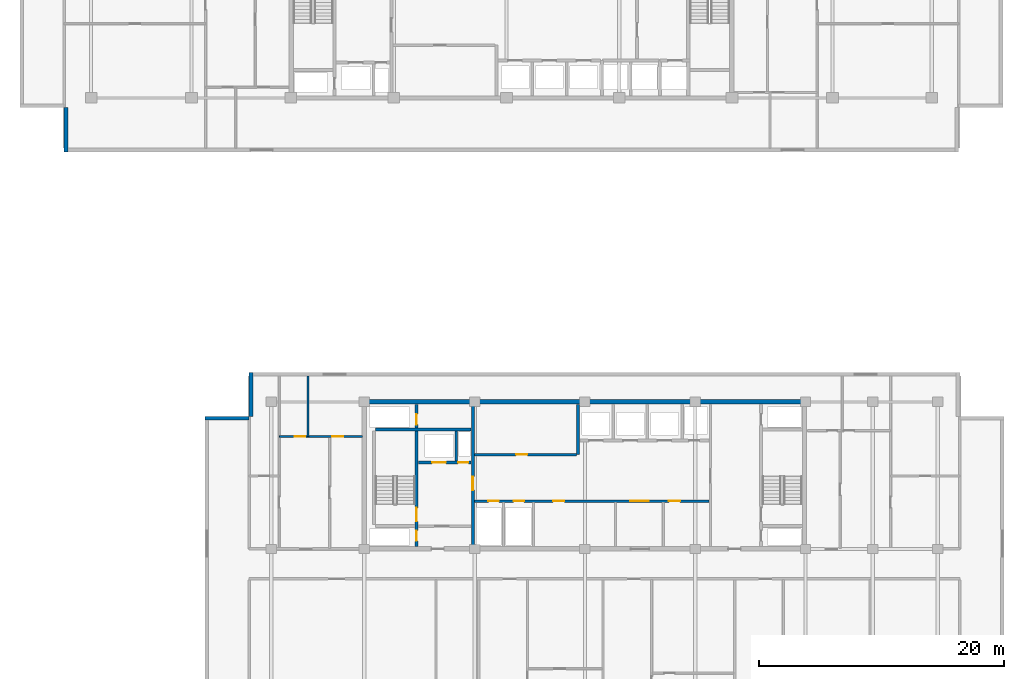
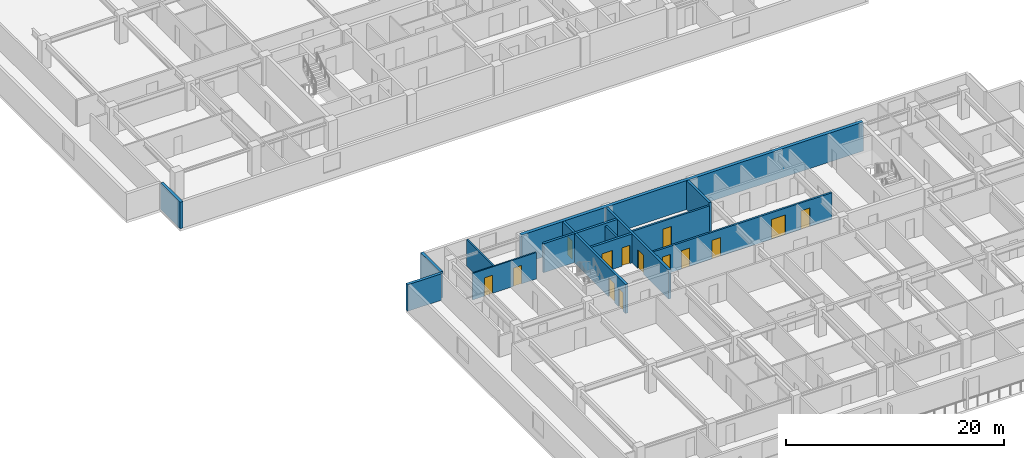
# One storey, part 6 of 21: 14 doors, 14 walls, 14 openings.
"""IFC4 building model written with IfcOpenShell, lengths in metres."""

from ifc_helpers import new_model, si_unit, direction, frame, frame_2d, origin, place, context, subcontext, project, spatial, rectangle, extrude, material, layer, layer_set, type_object, element, fill, save


model = new_model("IFC4")

# Units and contexts
model_context = context("Model", 3, precision=1e-05, world=origin(), true_north=direction((0.0, 1.0)))
body_context = subcontext(model_context, "Body", "Model", "MODEL_VIEW")
ifc_project = project(units=[si_unit("LENGTHUNIT", "METRE"), si_unit("AREAUNIT", "SQUARE_METRE"), si_unit("VOLUMEUNIT", "CUBIC_METRE"), si_unit("PLANEANGLEUNIT", "RADIAN"), si_unit("MASSUNIT", "GRAM", prefix="KILO")], contexts=[model_context])

# Site, building, storey
site_placement = place(None, origin())
site = spatial("IfcSite", under=ifc_project, at=site_placement, CompositionType="ELEMENT")
building_placement = place(site_placement, origin())
building = spatial("IfcBuilding", under=site, at=building_placement, Name="Korimba Cascade Residences", CompositionType="ELEMENT")
storey_placement = place(building_placement, frame((0.0, 0.0, 103.550048828125)))
storey = spatial("IfcBuildingStorey", under=building, at=storey_placement, Name="L29", CompositionType="ELEMENT", Elevation=103.550048828125)

# Walls
ifc_material_1 = material(Name="Precast concrete C40/50", Category="concrete")
ifc_layer_1 = layer(ifc_material_1, 0.300048828125)
ifc_layer_set_1 = layer_set([ifc_layer_1], Name="Precast concrete C40/50")
wall_type_1 = type_object("IfcWallType", Name="EW-STONE-300", PredefinedType="STANDARD", material=ifc_layer_set_1)
wall_1_placement = place(storey_placement, frame((57.75, 54.39990234375, 0.0), z_axis=(0.0, 0.0, 1.0), x_axis=(0.0, -1.0, 0.0)))
element("IfcWall", 1, at=wall_1_placement, inside=storey, type_object=wall_type_1, Name="L29 T1 Perimeter Stone Wall E11", PredefinedType="STANDARD", context=body_context, shape_type="SweptSolid", body=[
    extrude(rectangle(XDim=3.599853515625, YDim=0.300048828125, at=frame_2d((1.7998046875, 0.0))), origin(), (0.0, 0.0, 1.0), 2.969970703125),
])
wall_2_placement = place(storey_placement, frame((72.85009765625, 32.800048828125, 0.0), z_axis=(0.0, 0.0, 1.0), x_axis=(0.0, -1.0, 0.0)))
element("IfcWall", 2, at=wall_2_placement, inside=storey, type_object=wall_type_1, Name="L29 T2 Perimeter Stone Wall E07", PredefinedType="STANDARD", context=body_context, shape_type="SweptSolid", body=[
    extrude(rectangle(XDim=3.60009765625, YDim=0.300048828125, at=frame_2d((1.800048828125, 0.0))), origin(), (0.0, 0.0, 1.0), 2.969970703125),
])
wall_3_placement = place(storey_placement, frame((72.699951171875, 29.050048828125, 0.0), z_axis=(0.0, 0.0, 1.0), x_axis=(-1.0, 0.0, 0.0)))
element("IfcWall", 3, at=wall_3_placement, inside=storey, type_object=wall_type_1, Name="L29 T2 Perimeter Stone Wall E08", PredefinedType="STANDARD", context=body_context, shape_type="SweptSolid", body=[
    extrude(rectangle(XDim=3.599853515625, YDim=0.300048828125, at=frame_2d((1.7998046875, 0.0))), origin(), (0.0, 0.0, 1.0), 2.969970703125),
])
ifc_material_2 = material(Name="Concrete C65/80", Category="concrete")
ifc_layer_2 = layer(ifc_material_2, 0.35009765625)
ifc_layer_set_2 = layer_set([ifc_layer_2], Name="Concrete C65/80")
wall_type_2 = type_object("IfcWallType", Name="WAL-CORE-350", PredefinedType="SHEAR", material=ifc_layer_set_2)
wall_4_placement = place(storey_placement, frame((81.925048828125, 30.39990234375, 0.0), z_axis=(0.0, 0.0, 1.0), x_axis=(1.0, 0.0, 0.0)))
element("IfcWall", 4, at=wall_4_placement, inside=storey, type_object=wall_type_2, Name="L29 Core Shear Wall CW-L29-T2-N", PredefinedType="SHEAR", context=body_context, shape_type="SweptSolid", body=[
    extrude(rectangle(XDim=36.264892578125, YDim=0.35009765625, at=frame_2d((18.13232421875, 0.0))), origin(), (0.0, 0.0, 1.0), 3.25),
])
ifc_material_3 = material(Name="Insulated Acoustic Stud Partition", Category="gypsum")
ifc_layer_3 = layer(ifc_material_3, 0.14990234375)
ifc_layer_set_3 = layer_set([ifc_layer_3], Name="Insulated Acoustic Stud Partition")
wall_type_3 = type_object("IfcWallType", Name="WAL-PART-150", PredefinedType="PARTITIONING", material=ifc_layer_set_3)
wall_5_placement = place(storey_placement, frame((77.5, 27.570068359375, 0.0), z_axis=(0.0, 0.0, 1.0), x_axis=(0.0, 1.0, 0.0)))
element("IfcWall", 5, at=wall_5_placement, inside=storey, type_object=wall_type_3, Name="L29 Partition Wall WAL-L29-T2-FW-VN", PredefinedType="PARTITIONING", context=body_context, shape_type="SweptSolid", body=[
    extrude(rectangle(XDim=4.929931640625, YDim=0.14990234375, at=frame_2d((2.46484375, 0.0))), origin(), (0.0, 0.0, 1.0), 2.969970703125),
])

# Wall, openings, doors
wall_6_placement = place(storey_placement, frame((75.169921875, 27.570068359375, 0.0), z_axis=(0.0, 0.0, 1.0), x_axis=(1.0, 0.0, 0.0)))
wall_6 = element("IfcWall", 6, at=wall_6_placement, inside=storey, type_object=wall_type_3, Name="L29 Partition Wall WAL-L29-T2-FW-H", PredefinedType="PARTITIONING", context=body_context, shape_type="SweptSolid", body=[
    extrude(rectangle(XDim=6.760009765625, YDim=0.14990234375, at=frame_2d((3.3798828125, 0.0))), origin(), (0.0, 0.0, 1.0), 2.969970703125),
])
opening_1_placement = place(wall_6_placement, frame((1.266357421875, 0.0, 0.0)))
opening_1 = element("IfcOpeningElement", 7, at=opening_1_placement, cuts=wall_6, Name="Opening D-BT1", PredefinedType="OPENING", context=body_context, shape_type="SweptSolid", body=[
    extrude(rectangle(XDim=0.840087890625, YDim=2.0400390625, at=frame_2d((0.419921875, 1.02001953125))), frame((0.0, 0.0849609375, 0.0), z_axis=(0.0, -1.0, 0.0), x_axis=(1.0, 0.0, 0.0)), (0.0, 0.0, 1.0), 0.169921875),
])
opening_2_placement = place(wall_6_placement, frame((4.320068359375, 0.0, 0.0)))
opening_2 = element("IfcOpeningElement", 8, at=opening_2_placement, cuts=wall_6, Name="Opening D-IN2", PredefinedType="OPENING", context=body_context, shape_type="SweptSolid", body=[
    extrude(rectangle(XDim=0.8798828125, YDim=2.06005859375, at=frame_2d((0.43994140625, 1.030029296875))), frame((0.0, 0.0849609375, 0.0), z_axis=(0.0, -1.0, 0.0), x_axis=(1.0, 0.0, 0.0)), (0.0, 0.0, 1.0), 0.169921875),
])
ifc_material_4 = material(Name="Moisture-Resistant Bathroom Timber Door", Category="wood")
door_type_1 = type_object("IfcDoorType", Name="DR-INT-850", OperationType="NOTDEFINED", PredefinedType="DOOR", material=ifc_material_4)
door_1_placement = place(opening_1_placement, origin())
door_1 = element("IfcDoor", 9, at=door_1_placement, inside=storey, type_object=door_type_1, Name="L29-T2-FW Bathroom Door", OperationType="SINGLE_SWING_LEFT", OverallHeight=2.0400390625, OverallWidth=0.840087890625, PredefinedType="DOOR", context=body_context, shape_type="SweptSolid", body=[
    extrude(rectangle(XDim=0.840087890625, YDim=2.0400390625, at=frame_2d((0.419921875, 1.02001953125))), frame((0.0, 0.02490234375, 0.0), z_axis=(0.0, -1.0, 0.0), x_axis=(1.0, 0.0, 0.0)), (0.0, 0.0, 1.0), 0.050048828125),
])
fill(opening_1, door_1)
ifc_material_5 = material(Name="Acoustic Timber Bedroom Door", Category="wood")
door_type_2 = type_object("IfcDoorType", Name="DR-INT-880", OperationType="NOTDEFINED", PredefinedType="DOOR", material=ifc_material_5)
door_2_placement = place(opening_2_placement, origin())
door_2 = element("IfcDoor", 10, at=door_2_placement, inside=storey, type_object=door_type_2, Name="L29-T2-FW Bedroom Door", OperationType="SINGLE_SWING_RIGHT", OverallHeight=2.06005859375, OverallWidth=0.8798828125, PredefinedType="DOOR", context=body_context, shape_type="SweptSolid", body=[
    extrude(rectangle(XDim=0.8798828125, YDim=2.06005859375, at=frame_2d((0.43994140625, 1.030029296875))), frame((0.0, 0.02490234375, 0.0), z_axis=(0.0, -1.0, 0.0), x_axis=(1.0, 0.0, 0.0)), (0.0, 0.0, 1.0), 0.050048828125),
])
fill(opening_2, door_2)

# Wall
ifc_material_6 = material(Name="Concrete C40/50", Category="concrete")
ifc_layer_4 = layer(ifc_material_6, 0.199951171875)
ifc_layer_set_4 = layer_set([ifc_layer_4], Name="Concrete C40/50")
wall_type_4 = type_object("IfcWallType", Name="WAL-PART-200", PredefinedType="PARTITIONING", material=ifc_layer_set_4)
wall_7_placement = place(storey_placement, frame((89.60009765625, 25.580078125, 0.0), z_axis=(0.0, 0.0, 1.0), x_axis=(0.0, 1.0, 0.0)))
element("IfcWall", 11, at=wall_7_placement, inside=storey, type_object=wall_type_4, Name="L29 Partition Wall CW-L29-T2-FFLDIV", PredefinedType="PARTITIONING", context=body_context, shape_type="SweptSolid", body=[
    extrude(rectangle(XDim=2.419921875, YDim=0.199951171875, at=frame_2d((1.2099609375, 0.0))), origin(), (0.0, 0.0, 1.0), 2.969970703125),
])

# Wall, opening, door
wall_8_placement = place(storey_placement, frame((91.080078125, 26.10009765625, 0.0), z_axis=(0.0, 0.0, 1.0), x_axis=(1.0, 0.0, 0.0)))
wall_8 = element("IfcWall", 12, at=wall_8_placement, inside=storey, type_object=wall_type_4, Name="L29 Partition Wall CW-L29-T2-B1RS", PredefinedType="PARTITIONING", context=body_context, shape_type="SweptSolid", body=[
    extrude(rectangle(XDim=8.33984375, YDim=0.199951171875, at=frame_2d((4.169921875, 0.0))), origin(), (0.0, 0.0, 1.0), 2.969970703125),
])
opening_3_placement = place(wall_8_placement, frame((3.39990234375, 0.0, 0.0)))
opening_3 = element("IfcOpeningElement", 13, at=opening_3_placement, cuts=wall_8, Name="Opening D-ST1", PredefinedType="OPENING", context=body_context, shape_type="SweptSolid", body=[
    extrude(rectangle(XDim=0.919921875, YDim=2.080078125, at=frame_2d((0.4599609375, 1.0400390625))), frame((0.0, 0.10986328125, 0.0), z_axis=(0.0, -1.0, 0.0), x_axis=(1.0, 0.0, 0.0)), (0.0, 0.0, 1.0), 0.219970703125),
])
ifc_material_7 = material(Name="Fire-Rated Core Store Door", Category="wood")
door_type_3 = type_object("IfcDoorType", Name="DR-FD60-920", OperationType="NOTDEFINED", PredefinedType="DOOR", material=ifc_material_7)
door_3_placement = place(opening_3_placement, origin())
door_3 = element("IfcDoor", 14, at=door_3_placement, inside=storey, type_object=door_type_3, Name="L29 T2 Resident Storage Door", OperationType="SINGLE_SWING_RIGHT", OverallHeight=2.080078125, OverallWidth=0.919921875, PredefinedType="DOOR", context=body_context, shape_type="SweptSolid", body=[
    extrude(rectangle(XDim=0.919921875, YDim=2.080078125, at=frame_2d((0.4599609375, 1.0400390625))), frame((0.0, 0.02490234375, 0.0), z_axis=(0.0, -1.0, 0.0), x_axis=(1.0, 0.0, 0.0)), (0.0, 0.0, 1.0), 0.050048828125),
])
fill(opening_3, door_3)

# Wall, openings, doors
wall_9_placement = place(storey_placement, frame((91.080078125, 22.300048828125, 0.0), z_axis=(0.0, 0.0, 1.0), x_axis=(1.0, 0.0, 0.0)))
wall_9 = element("IfcWall", 15, at=wall_9_placement, inside=storey, type_object=wall_type_4, Name="L29 Partition Wall CW-L29-T2-SRVROW", PredefinedType="PARTITIONING", context=body_context, shape_type="SweptSolid", body=[
    extrude(rectangle(XDim=19.139892578125, YDim=0.199951171875, at=frame_2d((9.56982421875, 0.0))), origin(), (0.0, 0.0, 1.0), 2.969970703125),
])
opening_4_placement = place(wall_9_placement, frame((1.14990234375, 0.0, 0.0)))
opening_4 = element("IfcOpeningElement", 16, at=opening_4_placement, cuts=wall_9, Name="Opening D-RS1", PredefinedType="OPENING", context=body_context, shape_type="SweptSolid", body=[
    extrude(rectangle(XDim=0.85009765625, YDim=2.050048828125, at=frame_2d((0.425048828125, 1.02490234375))), frame((0.0, 0.10986328125, 0.0), z_axis=(0.0, -1.0, 0.0), x_axis=(1.0, 0.0, 0.0)), (0.0, 0.0, 1.0), 0.219970703125),
])
opening_5_placement = place(wall_9_placement, frame((3.199951171875, 0.0, 0.0)))
opening_5 = element("IfcOpeningElement", 17, at=opening_5_placement, cuts=wall_9, Name="Opening D-RS1", PredefinedType="OPENING", context=body_context, shape_type="SweptSolid", body=[
    extrude(rectangle(XDim=0.85009765625, YDim=2.050048828125, at=frame_2d((0.425048828125, 1.02490234375))), frame((0.0, 0.10986328125, 0.0), z_axis=(0.0, -1.0, 0.0), x_axis=(1.0, 0.0, 0.0)), (0.0, 0.0, 1.0), 0.219970703125),
])
opening_6_placement = place(wall_9_placement, frame((12.719970703125, 0.0, 0.0)))
opening_6 = element("IfcOpeningElement", 18, at=opening_6_placement, cuts=wall_9, Name="Opening D-FD8", PredefinedType="OPENING", context=body_context, shape_type="SweptSolid", body=[
    extrude(rectangle(XDim=1.5, YDim=2.199951171875, at=frame_2d((0.75, 1.10009765625))), frame((0.0, 0.10986328125, 0.0), z_axis=(0.0, -1.0, 0.0), x_axis=(1.0, 0.0, 0.0)), (0.0, 0.0, 1.0), 0.219970703125),
])
opening_7_placement = place(wall_9_placement, frame((6.419921875, 0.0, 0.0)))
opening_7 = element("IfcOpeningElement", 19, at=opening_7_placement, cuts=wall_9, Name="Opening D-IN1", PredefinedType="OPENING", context=body_context, shape_type="SweptSolid", body=[
    extrude(rectangle(XDim=0.919921875, YDim=2.080078125, at=frame_2d((0.4599609375, 1.0400390625))), frame((0.0, 0.10986328125, 0.0), z_axis=(0.0, -1.0, 0.0), x_axis=(1.0, 0.0, 0.0)), (0.0, 0.0, 1.0), 0.219970703125),
])
opening_8_placement = place(wall_9_placement, frame((15.8701171875, 0.0, 0.0)))
opening_8 = element("IfcOpeningElement", 20, at=opening_8_placement, cuts=wall_9, Name="Opening D-IN1", PredefinedType="OPENING", context=body_context, shape_type="SweptSolid", body=[
    extrude(rectangle(XDim=0.919921875, YDim=2.080078125, at=frame_2d((0.4599609375, 1.0400390625))), frame((0.0, 0.10986328125, 0.0), z_axis=(0.0, -1.0, 0.0), x_axis=(1.0, 0.0, 0.0)), (0.0, 0.0, 1.0), 0.219970703125),
])
ifc_material_8 = material(Name="Fire-Rated Steel Riser Access Door", Category="steel")
door_type_4 = type_object("IfcDoorType", Name="DR-FD60-850", OperationType="NOTDEFINED", PredefinedType="DOOR", material=ifc_material_8)
door_4_placement = place(opening_4_placement, origin())
door_4 = element("IfcDoor", 21, at=door_4_placement, inside=storey, type_object=door_type_4, Name="L29 T2 Electrical Riser Door", OperationType="SINGLE_SWING_RIGHT", OverallHeight=2.050048828125, OverallWidth=0.85009765625, PredefinedType="DOOR", context=body_context, shape_type="SweptSolid", body=[
    extrude(rectangle(XDim=0.85009765625, YDim=2.050048828125, at=frame_2d((0.425048828125, 1.02490234375))), frame((0.0, 0.02490234375, 0.0), z_axis=(0.0, -1.0, 0.0), x_axis=(1.0, 0.0, 0.0)), (0.0, 0.0, 1.0), 0.050048828125),
])
fill(opening_4, door_4)
door_5_placement = place(opening_5_placement, origin())
door_5 = element("IfcDoor", 22, at=door_5_placement, inside=storey, type_object=door_type_4, Name="L29 T2 Plumbing Riser Door", OperationType="SINGLE_SWING_LEFT", OverallHeight=2.050048828125, OverallWidth=0.85009765625, PredefinedType="DOOR", context=body_context, shape_type="SweptSolid", body=[
    extrude(rectangle(XDim=0.85009765625, YDim=2.050048828125, at=frame_2d((0.425048828125, 1.02490234375))), frame((0.0, 0.02490234375, 0.0), z_axis=(0.0, -1.0, 0.0), x_axis=(1.0, 0.0, 0.0)), (0.0, 0.0, 1.0), 0.050048828125),
])
fill(opening_5, door_5)
ifc_material_9 = material(Name="Fire-Rated Glazed Lift Lobby Double Door", Category="glass")
door_type_5 = type_object("IfcDoorType", Name="DR-FD90-1500", OperationType="NOTDEFINED", PredefinedType="DOOR", material=ifc_material_9)
door_6_placement = place(opening_6_placement, origin())
door_6 = element("IfcDoor", 23, at=door_6_placement, inside=storey, type_object=door_type_5, Name="L29 T2 Lift Lobby Foyer Door", OperationType="DOUBLE_DOOR_SINGLE_SWING", OverallHeight=2.199951171875, OverallWidth=1.5, PredefinedType="DOOR", context=body_context, shape_type="SweptSolid", body=[
    extrude(rectangle(XDim=1.5, YDim=2.199951171875, at=frame_2d((0.75, 1.10009765625))), frame((0.0, 0.02490234375, 0.0), z_axis=(0.0, -1.0, 0.0), x_axis=(1.0, 0.0, 0.0)), (0.0, 0.0, 1.0), 0.050048828125),
])
fill(opening_6, door_6)
ifc_material_10 = material(Name="Acoustic Timber Living Door", Category="wood")
door_type_6 = type_object("IfcDoorType", Name="DR-INT-920", OperationType="NOTDEFINED", PredefinedType="DOOR", material=ifc_material_10)
door_7_placement = place(opening_7_placement, origin())
door_7 = element("IfcDoor", 24, at=door_7_placement, inside=storey, type_object=door_type_6, Name="L29 T2 Housekeeping Door", OperationType="SINGLE_SWING_RIGHT", OverallHeight=2.080078125, OverallWidth=0.919921875, PredefinedType="DOOR", context=body_context, shape_type="SweptSolid", body=[
    extrude(rectangle(XDim=0.919921875, YDim=2.080078125, at=frame_2d((0.4599609375, 1.0400390625))), frame((0.0, 0.02490234375, 0.0), z_axis=(0.0, -1.0, 0.0), x_axis=(1.0, 0.0, 0.0)), (0.0, 0.0, 1.0), 0.050048828125),
])
fill(opening_7, door_7)
door_8_placement = place(opening_8_placement, origin())
door_8 = element("IfcDoor", 25, at=door_8_placement, inside=storey, type_object=door_type_6, Name="L29 T2 Store Door", OperationType="SINGLE_SWING_LEFT", OverallHeight=2.080078125, OverallWidth=0.919921875, PredefinedType="DOOR", context=body_context, shape_type="SweptSolid", body=[
    extrude(rectangle(XDim=0.919921875, YDim=2.080078125, at=frame_2d((0.4599609375, 1.0400390625))), frame((0.0, 0.02490234375, 0.0), z_axis=(0.0, -1.0, 0.0), x_axis=(1.0, 0.0, 0.0)), (0.0, 0.0, 1.0), 0.050048828125),
])
fill(opening_8, door_8)

ifc_material_11 = material(Name="Concrete C50/60", Category="concrete")
ifc_layer_5 = layer(ifc_material_11, 0.25)
ifc_layer_set_5 = layer_set([ifc_layer_5], Name="Concrete C50/60")
wall_type_5 = type_object("IfcWallType", Name="WAL-SHAFT-250", PredefinedType="SHEAR", material=ifc_layer_set_5)
wall_10_placement = place(storey_placement, frame((86.364990234375, 18.60009765625, 0.0), z_axis=(0.0, 0.0, 1.0), x_axis=(0.0, 1.0, 0.0)))
wall_10 = element("IfcWall", 26, at=wall_10_placement, inside=storey, type_object=wall_type_5, Name="L29 Core Shear Wall CW-L29-T2-STE1E", PredefinedType="SHEAR", context=body_context, shape_type="SweptSolid", body=[
    extrude(rectangle(XDim=11.599853515625, YDim=0.25, at=frame_2d((5.7998046875, 0.0))), origin(), (0.0, 0.0, 1.0), 3.25),
])
opening_9_placement = place(wall_10_placement, frame((0.449951171875, 0.0, 0.0)))
opening_9 = element("IfcOpeningElement", 27, at=opening_9_placement, cuts=wall_10, Name="Opening D-RS1", PredefinedType="OPENING", context=body_context, shape_type="SweptSolid", body=[
    extrude(rectangle(XDim=0.85009765625, YDim=2.050048828125, at=frame_2d((0.425048828125, 1.02490234375))), frame((0.0, 0.135009765625, 0.0), z_axis=(0.0, -1.0, 0.0), x_axis=(1.0, 0.0, 0.0)), (0.0, 0.0, 1.0), 0.27001953125),
])
opening_10_placement = place(wall_10_placement, frame((2.050048828125, 0.0, 0.0)))
opening_10 = element("IfcOpeningElement", 28, at=opening_10_placement, cuts=wall_10, Name="Opening D-FD1", PredefinedType="OPENING", context=body_context, shape_type="SweptSolid", body=[
    extrude(rectangle(XDim=1.10009765625, YDim=2.10009765625, at=frame_2d((0.550048828125, 1.050048828125))), frame((0.0, 0.135009765625, 0.0), z_axis=(0.0, -1.0, 0.0), x_axis=(1.0, 0.0, 0.0)), (0.0, 0.0, 1.0), 0.27001953125),
])
opening_11_placement = place(wall_10_placement, frame((9.949951171875, 0.0, 0.0)))
opening_11 = element("IfcOpeningElement", 29, at=opening_11_placement, cuts=wall_10, Name="Opening D-RS1", PredefinedType="OPENING", context=body_context, shape_type="SweptSolid", body=[
    extrude(rectangle(XDim=0.85009765625, YDim=2.050048828125, at=frame_2d((0.425048828125, 1.02490234375))), frame((0.0, 0.135009765625, 0.0), z_axis=(0.0, -1.0, 0.0), x_axis=(1.0, 0.0, 0.0)), (0.0, 0.0, 1.0), 0.27001953125),
])
ifc_material_12 = material(Name="Fire-Rated Steel Core Door", Category="steel")
door_type_7 = type_object("IfcDoorType", Name="DR-FD120-1100", OperationType="NOTDEFINED", PredefinedType="DOOR", material=ifc_material_12)
door_9_placement = place(opening_10_placement, origin())
door_9 = element("IfcDoor", 30, at=door_9_placement, inside=storey, type_object=door_type_7, Name="L29 Fire Stair ST-E1 Door", OperationType="SINGLE_SWING_LEFT", OverallHeight=2.10009765625, OverallWidth=1.10009765625, PredefinedType="DOOR", context=body_context, shape_type="SweptSolid", body=[
    extrude(rectangle(XDim=1.10009765625, YDim=2.10009765625, at=frame_2d((0.550048828125, 1.050048828125))), frame((0.0, 0.02490234375, 0.0), z_axis=(0.0, -1.0, 0.0), x_axis=(1.0, 0.0, 0.0)), (0.0, 0.0, 1.0), 0.050048828125),
])
fill(opening_10, door_9)
door_10_placement = place(opening_9_placement, origin())
door_10 = element("IfcDoor", 31, at=door_10_placement, inside=storey, type_object=door_type_4, Name="L29 T2 Hydrant Riser Door", OperationType="SINGLE_SWING_RIGHT", OverallHeight=2.050048828125, OverallWidth=0.85009765625, PredefinedType="DOOR", context=body_context, shape_type="SweptSolid", body=[
    extrude(rectangle(XDim=0.85009765625, YDim=2.050048828125, at=frame_2d((0.425048828125, 1.02490234375))), frame((0.0, 0.02490234375, 0.0), z_axis=(0.0, -1.0, 0.0), x_axis=(1.0, 0.0, 0.0)), (0.0, 0.0, 1.0), 0.050048828125),
])
fill(opening_9, door_10)
door_11_placement = place(opening_11_placement, origin())
door_11 = element("IfcDoor", 32, at=door_11_placement, inside=storey, type_object=door_type_4, Name="L29 T2 Smoke Shaft Door", OperationType="SINGLE_SWING_RIGHT", OverallHeight=2.050048828125, OverallWidth=0.85009765625, PredefinedType="DOOR", context=body_context, shape_type="SweptSolid", body=[
    extrude(rectangle(XDim=0.85009765625, YDim=2.050048828125, at=frame_2d((0.425048828125, 1.02490234375))), frame((0.0, 0.02490234375, 0.0), z_axis=(0.0, -1.0, 0.0), x_axis=(1.0, 0.0, 0.0)), (0.0, 0.0, 1.0), 0.050048828125),
])
fill(opening_11, door_11)

# Wall
wall_11_placement = place(storey_placement, frame((83.0, 28.125, 0.0), z_axis=(0.0, 0.0, 1.0), x_axis=(1.0, 0.0, 0.0)))
element("IfcWall", 33, at=wall_11_placement, inside=storey, type_object=wall_type_5, Name="L29 Core Shear Wall CW-L29-T2-STE1N", PredefinedType="SHEAR", context=body_context, shape_type="SweptSolid", body=[
    extrude(rectangle(XDim=7.820068359375, YDim=0.25, at=frame_2d((3.91015625, 0.0))), origin(), (0.0, 0.0, 1.0), 3.25),
])

# Wall, openings, doors
wall_12_placement = place(storey_placement, frame((86.5, 25.449951171875, 0.0), z_axis=(0.0, 0.0, 1.0), x_axis=(1.0, 0.0, 0.0)))
wall_12 = element("IfcWall", 34, at=wall_12_placement, inside=storey, type_object=wall_type_5, Name="L29 Core Shear Wall CW-L29-T2-FFLN", PredefinedType="SHEAR", context=body_context, shape_type="SweptSolid", body=[
    extrude(rectangle(XDim=4.320068359375, YDim=0.25, at=frame_2d((2.16015625, 0.0))), origin(), (0.0, 0.0, 1.0), 3.25),
])
opening_12_placement = place(wall_12_placement, frame((1.139892578125, 0.0, 0.0)))
opening_12 = element("IfcOpeningElement", 35, at=opening_12_placement, cuts=wall_12, Name="Opening LD-01", PredefinedType="OPENING", context=body_context, shape_type="SweptSolid", body=[
    extrude(rectangle(XDim=1.1201171875, YDim=2.1201171875, at=frame_2d((0.56005859375, 1.06005859375))), frame((0.0, 0.135009765625, 0.0), z_axis=(0.0, -1.0, 0.0), x_axis=(1.0, 0.0, 0.0)), (0.0, 0.0, 1.0), 0.27001953125),
])
opening_13_placement = place(wall_12_placement, frame((3.25, 0.0, 0.0)))
opening_13 = element("IfcOpeningElement", 36, at=opening_13_placement, cuts=wall_12, Name="Opening D-RS1", PredefinedType="OPENING", context=body_context, shape_type="SweptSolid", body=[
    extrude(rectangle(XDim=0.85009765625, YDim=2.050048828125, at=frame_2d((0.425048828125, 1.02490234375))), frame((0.0, 0.135009765625, 0.0), z_axis=(0.0, -1.0, 0.0), x_axis=(1.0, 0.0, 0.0)), (0.0, 0.0, 1.0), 0.27001953125),
])
door_12_placement = place(opening_13_placement, origin())
door_12 = element("IfcDoor", 37, at=door_12_placement, inside=storey, type_object=door_type_4, Name="L29 T2 Pressurisation Riser Door", OperationType="SINGLE_SWING_LEFT", OverallHeight=2.050048828125, OverallWidth=0.85009765625, PredefinedType="DOOR", context=body_context, shape_type="SweptSolid", body=[
    extrude(rectangle(XDim=0.85009765625, YDim=2.050048828125, at=frame_2d((0.425048828125, 1.02490234375))), frame((0.0, 0.02490234375, 0.0), z_axis=(0.0, -1.0, 0.0), x_axis=(1.0, 0.0, 0.0)), (0.0, 0.0, 1.0), 0.050048828125),
])
fill(opening_13, door_12)
ifc_material_13 = material(Name="Stainless Steel Lift Landing Sliding Door", Category="steel")
door_type_8 = type_object("IfcDoorType", Name="DR-LIFT-1100", OperationType="NOTDEFINED", PredefinedType="DOOR", material=ifc_material_13)
door_13_placement = place(opening_12_placement, origin())
door_13 = element("IfcDoor", 38, at=door_13_placement, inside=storey, type_object=door_type_8, Name="L29 Firefighting Lift Landing Door FFL-E1", OperationType="SLIDING_TO_RIGHT", OverallHeight=2.1201171875, OverallWidth=1.1201171875, PredefinedType="DOOR", context=body_context, shape_type="SweptSolid", body=[
    extrude(rectangle(XDim=1.1201171875, YDim=2.1201171875, at=frame_2d((0.56005859375, 1.06005859375))), frame((0.0, 0.02490234375, 0.0), z_axis=(0.0, -1.0, 0.0), x_axis=(1.0, 0.0, 0.0)), (0.0, 0.0, 1.0), 0.050048828125),
])
fill(opening_12, door_13)

# Wall, opening, door
wall_13_placement = place(storey_placement, frame((90.949951171875, 18.60009765625, 0.0), z_axis=(0.0, 0.0, 1.0), x_axis=(0.0, 1.0, 0.0)))
wall_13 = element("IfcWall", 39, at=wall_13_placement, inside=storey, type_object=wall_type_5, Name="L29 Core Shear Wall CW-L29-T2-FFLE", PredefinedType="SHEAR", context=body_context, shape_type="SweptSolid", body=[
    extrude(rectangle(XDim=11.599853515625, YDim=0.25, at=frame_2d((5.7998046875, 0.0))), origin(), (0.0, 0.0, 1.0), 3.25),
])
opening_14_placement = place(wall_13_placement, frame((4.60009765625, 0.0, 0.0)))
opening_14 = element("IfcOpeningElement", 40, at=opening_14_placement, cuts=wall_13, Name="Opening D-FD1", PredefinedType="OPENING", context=body_context, shape_type="SweptSolid", body=[
    extrude(rectangle(XDim=1.10009765625, YDim=2.10009765625, at=frame_2d((0.550048828125, 1.050048828125))), frame((0.0, 0.135009765625, 0.0), z_axis=(0.0, -1.0, 0.0), x_axis=(1.0, 0.0, 0.0)), (0.0, 0.0, 1.0), 0.27001953125),
])
door_14_placement = place(opening_14_placement, origin())
door_14 = element("IfcDoor", 41, at=door_14_placement, inside=storey, type_object=door_type_7, Name="L29 T2 Firefighting Lobby to Lift Lobby Door", OperationType="SINGLE_SWING_LEFT", OverallHeight=2.10009765625, OverallWidth=1.10009765625, PredefinedType="DOOR", context=body_context, shape_type="SweptSolid", body=[
    extrude(rectangle(XDim=1.10009765625, YDim=2.10009765625, at=frame_2d((0.550048828125, 1.050048828125))), frame((0.0, 0.02490234375, 0.0), z_axis=(0.0, -1.0, 0.0), x_axis=(1.0, 0.0, 0.0)), (0.0, 0.0, 1.0), 0.050048828125),
])
fill(opening_14, door_14)

# Wall
wall_14_placement = place(storey_placement, frame((99.550048828125, 26.10009765625, 0.0), z_axis=(0.0, 0.0, 1.0), x_axis=(0.0, 1.0, 0.0)))
element("IfcWall", 42, at=wall_14_placement, inside=storey, type_object=wall_type_5, Name="L29 Core Shear Wall CW-L29-T2-B12DIV", PredefinedType="SHEAR", context=body_context, shape_type="SweptSolid", body=[
    extrude(rectangle(XDim=4.099853515625, YDim=0.25, at=frame_2d((2.0498046875, 0.0))), origin(), (0.0, 0.0, 1.0), 3.25),
])

save(model, "model.ifc")
